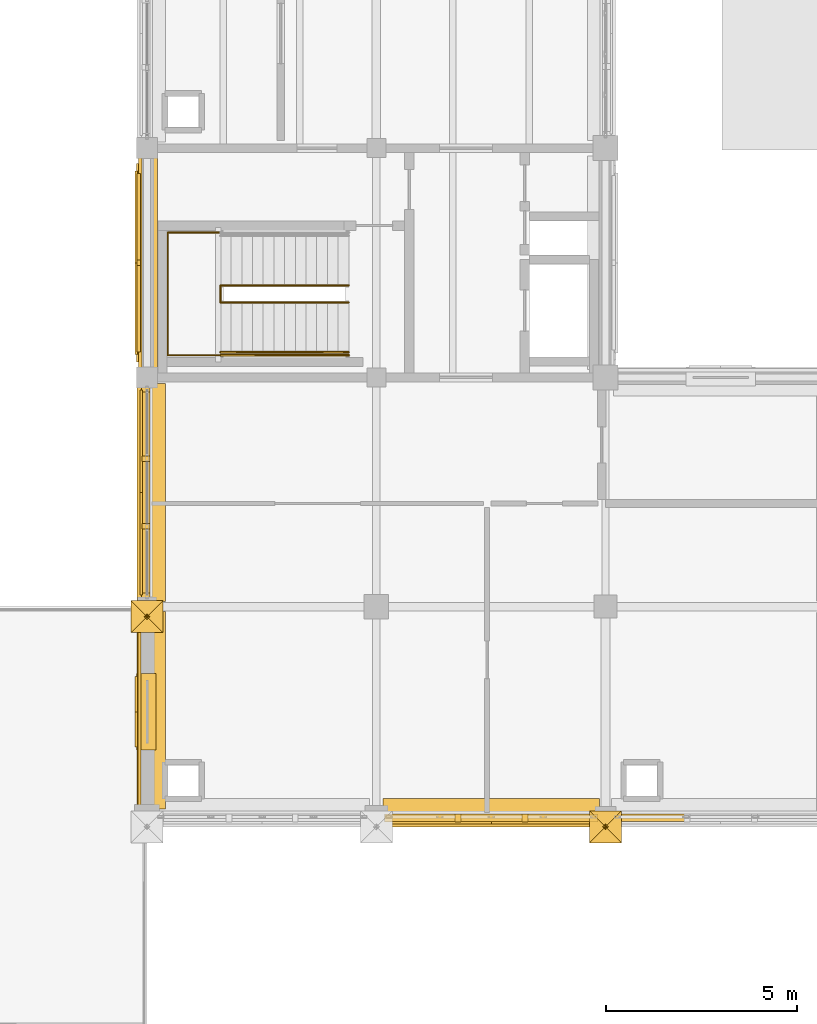
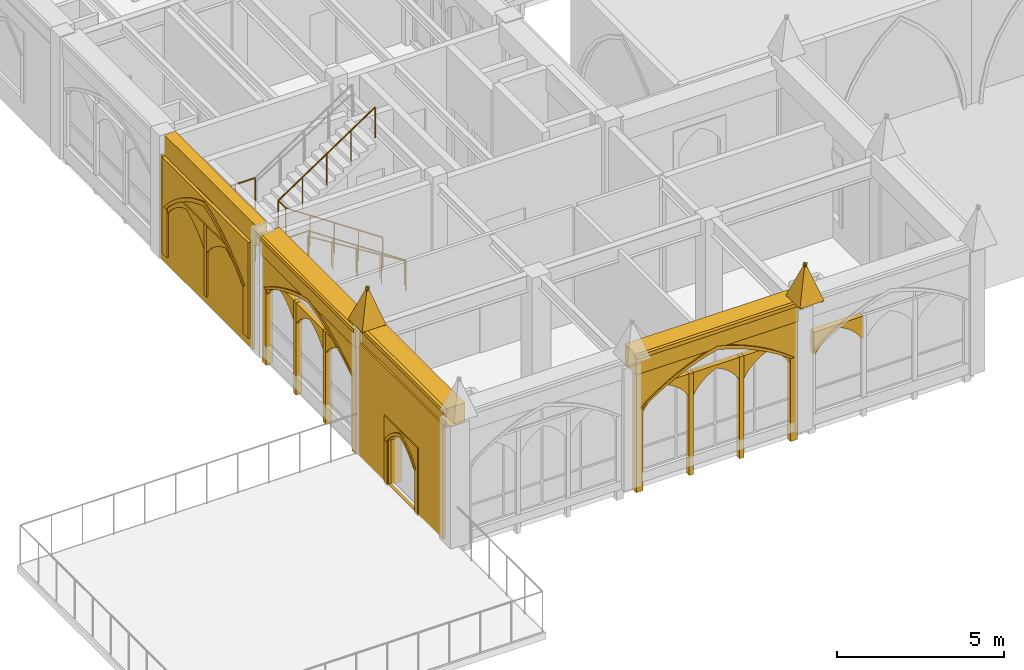
# One storey, part 128 of 143: 39 coverings, 4 railings.
"""IFC4 building model written with IfcOpenShell, lengths in metres."""

from ifc_helpers import new_model, si_unit, direction, frame, origin, origin_2d, place, context, subcontext, project, spatial, polyline, rectangle, circle, outline, extrude, material, type_object, element, save


model = new_model("IFC4")

# Units and contexts
model_context = context("Model", 3, precision=1e-05, world=origin(), true_north=direction((0.0, 1.0)))
body_context = subcontext(model_context, "Body", "Model", "MODEL_VIEW")
ifc_project = project(units=[si_unit("LENGTHUNIT", "METRE"), si_unit("AREAUNIT", "SQUARE_METRE"), si_unit("VOLUMEUNIT", "CUBIC_METRE"), si_unit("PLANEANGLEUNIT", "RADIAN"), si_unit("MASSUNIT", "GRAM", prefix="KILO")], contexts=[model_context])

# Site, building, storey
site_placement = place(None, origin())
site = spatial("IfcSite", under=ifc_project, at=site_placement, CompositionType="ELEMENT")
building_placement = place(site_placement, origin())
building = spatial("IfcBuilding", under=site, at=building_placement, Name="Cumevento Cable Car Station", CompositionType="ELEMENT")
storey_placement = place(building_placement, frame((0.0, 0.0, 9.0)))
storey = spatial("IfcBuildingStorey", under=building, at=storey_placement, Name="L03", CompositionType="ELEMENT", Elevation=9.0)

# Railings
ifc_material_1 = material(Name="Painted Galvanised Architectural Steel", Category="steel")
railing_type_1 = type_object("IfcRailingType", Name="Stair Guardrail GR-S115", PredefinedType="GUARDRAIL", material=ifc_material_1)
railing_1_placement = place(storey_placement, frame((123.280029296875, 22.9599609375, 0.0)))
element("IfcRailing", 1, at=railing_1_placement, inside=storey, type_object=railing_type_1, Name="Stair Well Inner Guardrail ST-05-L03", PredefinedType="GUARDRAIL", context=body_context, shape_type="SweptSolid", body=[
    extrude(circle(Radius=0.02392578125, at=origin_2d()), frame((0.0, 0.0, 1.1259765625), z_axis=(-0.830915400975, 0.0, 0.556398774641), x_axis=(0.0, -1.0, 0.0)), (0.0, 0.0, 1.0), 4.0439453125),
    extrude(circle(Radius=0.02392578125, at=origin_2d()), frame((-3.360107421875, 0.0, 3.3759765625), z_axis=(0.0, 1.0, 0.0), x_axis=(-1.0, 0.0, 0.0)), (0.0, 0.0, 1.0), 0.449951171875),
    extrude(circle(Radius=0.02392578125, at=origin_2d()), frame((-3.360107421875, 0.449951171875, 3.3759765625), z_axis=(0.830915400975, 0.0, 0.556398774641), x_axis=(0.0, 1.0, 0.0)), (0.0, 0.0, 1.0), 4.0439453125),
    extrude(circle(Radius=0.02001953125, at=origin_2d()), origin(), (0.0, 0.0, 1.0), 1.101806640625),
    extrude(circle(Radius=0.02001953125, at=origin_2d()), frame((-0.840087890625, 0.0, 0.5625)), (0.0, 0.0, 1.0), 1.101806640625),
    extrude(circle(Radius=0.02001953125, at=origin_2d()), frame((-1.68017578125, 0.0, 1.125)), (0.0, 0.0, 1.0), 1.101806640625),
    extrude(circle(Radius=0.02001953125, at=origin_2d()), frame((-2.52001953125, 0.0, 1.6875)), (0.0, 0.0, 1.0), 1.101806640625),
    extrude(circle(Radius=0.02001953125, at=origin_2d()), frame((-3.360107421875, 0.0, 2.25)), (0.0, 0.0, 1.0), 1.101806640625),
    extrude(circle(Radius=0.02001953125, at=origin_2d()), frame((-3.360107421875, 0.449951171875, 2.25)), (0.0, 0.0, 1.0), 1.101806640625),
    extrude(circle(Radius=0.02001953125, at=origin_2d()), frame((-2.52001953125, 0.449951171875, 2.8125)), (0.0, 0.0, 1.0), 1.101806640625),
    extrude(circle(Radius=0.02001953125, at=origin_2d()), frame((-1.68017578125, 0.449951171875, 3.375)), (0.0, 0.0, 1.0), 1.101806640625),
    extrude(circle(Radius=0.02001953125, at=origin_2d()), frame((-0.840087890625, 0.449951171875, 3.9375)), (0.0, 0.0, 1.0), 1.101806640625),
    extrude(circle(Radius=0.02001953125, at=origin_2d()), frame((0.0, 0.449951171875, 4.5)), (0.0, 0.0, 1.0), 1.101806640625),
])
railing_2_placement = place(storey_placement, frame((119.919921875, 21.580078125, 2.25)))
element("IfcRailing", 2, at=railing_2_placement, inside=storey, type_object=railing_type_1, Name="Stair Half-Landing Guardrail ST-05-L03", PredefinedType="GUARDRAIL", context=body_context, shape_type="SweptSolid", body=[
    extrude(circle(Radius=0.02392578125, at=origin_2d()), frame((0.0, 0.0, 1.1259765625), z_axis=(-1.0, 0.0, 0.0), x_axis=(0.0, -1.0, 0.0)), (0.0, 0.0, 1.0), 1.3798828125),
    extrude(circle(Radius=0.02392578125, at=origin_2d()), frame((-1.3798828125, 0.0, 1.1259765625), z_axis=(0.0, 1.0, 0.0), x_axis=(-1.0, 0.0, 0.0)), (0.0, 0.0, 1.0), 3.2099609375),
    extrude(circle(Radius=0.02392578125, at=origin_2d()), frame((-1.3798828125, 3.2099609375, 1.1259765625), z_axis=(1.0, 0.0, 0.0), x_axis=(0.0, 1.0, 0.0)), (0.0, 0.0, 1.0), 1.3798828125),
    extrude(circle(Radius=0.02001953125, at=origin_2d()), origin(), (0.0, 0.0, 1.0), 1.101806640625),
    extrude(circle(Radius=0.02001953125, at=origin_2d()), frame((-0.68994140625, 0.0, 0.0)), (0.0, 0.0, 1.0), 1.101806640625),
    extrude(circle(Radius=0.02001953125, at=origin_2d()), frame((-1.3798828125, 0.0, 0.0)), (0.0, 0.0, 1.0), 1.101806640625),
    extrude(circle(Radius=0.02001953125, at=origin_2d()), frame((-1.3798828125, 0.802490234375, 0.0)), (0.0, 0.0, 1.0), 1.101806640625),
    extrude(circle(Radius=0.02001953125, at=origin_2d()), frame((-1.3798828125, 1.60498046875, 0.0)), (0.0, 0.0, 1.0), 1.101806640625),
    extrude(circle(Radius=0.02001953125, at=origin_2d()), frame((-1.3798828125, 2.407470703125, 0.0)), (0.0, 0.0, 1.0), 1.101806640625),
    extrude(circle(Radius=0.02001953125, at=origin_2d()), frame((-1.3798828125, 3.2099609375, 0.0)), (0.0, 0.0, 1.0), 1.101806640625),
    extrude(circle(Radius=0.02001953125, at=origin_2d()), frame((-0.68994140625, 3.2099609375, 0.0)), (0.0, 0.0, 1.0), 1.101806640625),
    extrude(circle(Radius=0.02001953125, at=origin_2d()), frame((0.0, 3.2099609375, 0.0)), (0.0, 0.0, 1.0), 1.101806640625),
])
railing_3_placement = place(storey_placement, frame((123.280029296875, 21.580078125, 0.0)))
element("IfcRailing", 3, at=railing_3_placement, inside=storey, type_object=railing_type_1, Name="Stair Outer Guardrail ST-05-L03 F1", PredefinedType="GUARDRAIL", context=body_context, shape_type="SweptSolid", body=[
    extrude(circle(Radius=0.02392578125, at=origin_2d()), frame((0.0, 0.0, 1.1259765625), z_axis=(-0.830915400975, 0.0, 0.556398774641), x_axis=(0.0, -1.0, 0.0)), (0.0, 0.0, 1.0), 4.0439453125),
    extrude(circle(Radius=0.02001953125, at=origin_2d()), origin(), (0.0, 0.0, 1.0), 1.101806640625),
    extrude(circle(Radius=0.02001953125, at=origin_2d()), frame((-0.840087890625, 0.0, 0.5625)), (0.0, 0.0, 1.0), 1.101806640625),
    extrude(circle(Radius=0.02001953125, at=origin_2d()), frame((-1.68017578125, 0.0, 1.125)), (0.0, 0.0, 1.0), 1.101806640625),
    extrude(circle(Radius=0.02001953125, at=origin_2d()), frame((-2.52001953125, 0.0, 1.6875)), (0.0, 0.0, 1.0), 1.101806640625),
    extrude(circle(Radius=0.02001953125, at=origin_2d()), frame((-3.360107421875, 0.0, 2.25)), (0.0, 0.0, 1.0), 1.101806640625),
])
ifc_material_2 = material(Name="Brushed Stainless Steel Handrail Tube", Category="steel")
railing_type_2 = type_object("IfcRailingType", Name="Stair Handrail HR-090", PredefinedType="HANDRAIL", material=ifc_material_2)
railing_4_placement = place(storey_placement, frame((123.280029296875, 21.659912109375, 0.17626953125)))
element("IfcRailing", 4, at=railing_4_placement, inside=storey, type_object=railing_type_2, Name="Stair Pitch Handrail ST-05-L03 F1", PredefinedType="HANDRAIL", context=body_context, shape_type="SweptSolid", body=[
    extrude(circle(Radius=0.02099609375, at=origin_2d()), frame((0.0, 0.0, 0.87890625), z_axis=(-0.850623216509, 0.0, 0.525775754039), x_axis=(0.0, -1.0, 0.0)), (0.0, 0.0, 1.0), 3.9501953125),
    extrude(circle(Radius=0.01611328125, at=origin_2d()), origin(), (0.0, 0.0, 1.0), 0.85791015625),
    extrude(circle(Radius=0.01611328125, at=origin_2d()), frame((-0.840087890625, 0.0, 0.519287109375)), (0.0, 0.0, 1.0), 0.85791015625),
    extrude(circle(Radius=0.01611328125, at=origin_2d()), frame((-1.68017578125, 0.0, 1.03857421875)), (0.0, 0.0, 1.0), 0.85791015625),
    extrude(circle(Radius=0.01611328125, at=origin_2d()), frame((-2.52001953125, 0.0, 1.5576171875)), (0.0, 0.0, 1.0), 0.85791015625),
    extrude(circle(Radius=0.01611328125, at=origin_2d()), frame((-3.360107421875, 0.0, 2.076904296875)), (0.0, 0.0, 1.0), 0.85791015625),
])

# Coverings
ifc_material_3 = material(Name="Gnaisse Facoidal Stone Ashlar 85 MPa", Category="masonry")
covering_type = type_object("IfcCoveringType", Name="Gnaisse Ashlar Cladding CV-CL01", PredefinedType="CLADDING", material=ifc_material_3)
for number, where, z_axis, x_axis, name in (
    (5, (117.580078125, 15.159912109375, 4.8701171875), (0.0, 0.951573760476, 0.30742052367), (1.0, 0.0, 0.0), "Gothic Buttress Pinnacle Spire Facet 1 bt:118.0:15.0"),
    (6, (118.419921875, 15.159912109375, 4.8701171875), (0.951573760476, 0.0, 0.30742052367), (0.0, -1.0, 0.0), "Gothic Buttress Pinnacle Spire Facet 2 bt:118.0:15.0"),
    (7, (118.419921875, 14.320068359375, 4.8701171875), (0.0, -0.951573760476, 0.30742052367), (-1.0, 0.0, 0.0), "Gothic Buttress Pinnacle Spire Facet 3 bt:118.0:15.0"),
    (8, (117.580078125, 14.320068359375, 4.8701171875), (-0.951573760476, 0.0, 0.30742052367), (0.0, 1.0, 0.0), "Gothic Buttress Pinnacle Spire Facet 4 bt:118.0:15.0"),
    (9, (129.580078125, 9.659912109375, 4.8701171875), (0.0, 0.951573760476, 0.30742052367), (1.0, 0.0, 0.0), "Gothic Buttress Pinnacle Spire Facet 1 bt:130.0:9.5"),
    (10, (130.419921875, 9.659912109375, 4.8701171875), (0.951573760476, 0.0, 0.30742052367), (0.0, -1.0, 0.0), "Gothic Buttress Pinnacle Spire Facet 2 bt:130.0:9.5"),
    (11, (130.419921875, 8.820068359375, 4.8701171875), (0.0, -0.951573760476, 0.30742052367), (-1.0, 0.0, 0.0), "Gothic Buttress Pinnacle Spire Facet 3 bt:130.0:9.5"),
    (12, (129.580078125, 8.820068359375, 4.8701171875), (-0.951573760476, 0.0, 0.30742052367), (0.0, 1.0, 0.0), "Gothic Buttress Pinnacle Spire Facet 4 bt:130.0:9.5"),
):
    element("IfcCovering", number, at=place(storey_placement, frame(where, z_axis=z_axis, x_axis=x_axis)), inside=storey, type_object=covering_type, Name=name, PredefinedType="CLADDING", context=body_context, shape_type="SweptSolid", body=[
        extrude(outline(polyline([(0.0, 0.0), (0.83984375, 0.0), (0.419921875, -1.3659526370817139), (0.0, 0.0)])), origin(), (0.0, 0.0, -1.0), 0.0849609375),
    ])
covering_1_placement = place(storey_placement, frame((127.012451171875, 9.64990234375, 4.032958984375), z_axis=(0.0, 0.0, 1.0), x_axis=(-1.0, 0.0, 0.0)))
element("IfcCovering", 13, at=covering_1_placement, inside=storey, type_object=covering_type, Name="Gothic Stone Spandrel Stringcourse sc:0666", PredefinedType="CLADDING", context=body_context, shape_type="SweptSolid", body=[
    extrude(rectangle(XDim=5.6650390625, YDim=0.659912109375, at=origin_2d()), origin(), (0.0, 0.0, 1.0), 0.7470703125),
])
covering_2_placement = place(storey_placement, frame((127.012451171875, 9.29248046875, 4.650146484375), z_axis=(0.0, 0.0, 1.0), x_axis=(-1.0, 0.0, 0.0)))
element("IfcCovering", 14, at=covering_2_placement, inside=storey, type_object=covering_type, Name="Gothic Cornice Dripstone Lip sc:0666", PredefinedType="CLADDING", context=body_context, shape_type="SweptSolid", body=[
    extrude(rectangle(XDim=5.705078125, YDim=0.114990234375, at=origin_2d()), origin(), (0.0, 0.0, 1.0), 0.1298828125),
])
covering_3_placement = place(storey_placement, frame((118.148681640625, 12.28759765625, 4.0859375), z_axis=(0.0, 0.0, 1.0), x_axis=(0.0, 1.0, 0.0)))
element("IfcCovering", 15, at=covering_3_placement, inside=storey, type_object=covering_type, Name="Gothic Stone Spandrel Stringcourse sc:0669", PredefinedType="CLADDING", context=body_context, shape_type="SweptSolid", body=[
    extrude(rectangle(XDim=5.1650390625, YDim=0.66259765625, at=origin_2d()), origin(), (0.0, 0.0, 1.0), 0.694091796875),
])
covering_4_placement = place(storey_placement, frame((117.7900390625, 12.28759765625, 4.650146484375), z_axis=(0.0, 0.0, 1.0), x_axis=(0.0, 1.0, 0.0)))
element("IfcCovering", 16, at=covering_4_placement, inside=storey, type_object=covering_type, Name="Gothic Cornice Dripstone Lip sc:0669", PredefinedType="CLADDING", context=body_context, shape_type="SweptSolid", body=[
    extrude(rectangle(XDim=5.205078125, YDim=0.114990234375, at=origin_2d()), origin(), (0.0, 0.0, 1.0), 0.1298828125),
])
covering_5_placement = place(storey_placement, frame((118.14990234375, 17.987548828125, 3.718017578125), z_axis=(0.0, 0.0, 1.0), x_axis=(0.0, 1.0, 0.0)))
element("IfcCovering", 17, at=covering_5_placement, inside=storey, type_object=covering_type, Name="Gothic Stone Spandrel Stringcourse sc:0670", PredefinedType="CLADDING", context=body_context, shape_type="SweptSolid", body=[
    extrude(rectangle(XDim=5.715087890625, YDim=0.659912109375, at=origin_2d()), origin(), (0.0, 0.0, 1.0), 0.7470703125),
])
covering_6_placement = place(storey_placement, frame((117.79248046875, 17.987548828125, 4.3349609375), z_axis=(0.0, 0.0, 1.0), x_axis=(0.0, 1.0, 0.0)))
element("IfcCovering", 18, at=covering_6_placement, inside=storey, type_object=covering_type, Name="Gothic Cornice Dripstone Lip sc:0670", PredefinedType="CLADDING", context=body_context, shape_type="SweptSolid", body=[
    extrude(rectangle(XDim=5.7548828125, YDim=0.114990234375, at=origin_2d()), origin(), (0.0, 0.0, 1.0), 0.1298828125),
])
covering_7_placement = place(storey_placement, frame((118.090087890625, 24.0, 3.718017578125), z_axis=(0.0, 0.0, 1.0), x_axis=(0.0, 1.0, 0.0)))
element("IfcCovering", 19, at=covering_7_placement, inside=storey, type_object=covering_type, Name="Gothic Stone Spandrel Stringcourse sc:0673", PredefinedType="CLADDING", context=body_context, shape_type="SweptSolid", body=[
    extrude(rectangle(XDim=5.510009765625, YDim=0.3798828125, at=origin_2d()), origin(), (0.0, 0.0, 1.0), 0.7470703125),
])
placement_1 = place(storey_placement, frame((129.72509765625, 9.5, -0.320068359375), z_axis=(0.0, 0.0, 1.0), x_axis=(-1.0, 0.0, 0.0)))
element("IfcCovering", 20, at=placement_1, inside=storey, type_object=covering_type, Name="Gothic Ogival Pointed-Arch Stone Spandrel cw_ogival:0124", PredefinedType="CLADDING", context=body_context, shape_type="SweptSolid", body=[
    extrude(outline(polyline([(-0.080078125, 0.0), (-0.080078125, 4.492919921875), (5.5048828125, 4.492919921875), (5.5048828125, 0.0), (5.264892578125, 0.0), (5.264892578125, 3.069091796875), (4.9765625, 3.278076171875), (4.677734375, 3.47216796875), (4.369140625, 3.650390625), (4.052001953125, 3.812744140625), (3.726806640625, 3.95849609375), (3.39453125, 4.08740234375), (3.05615234375, 4.198974609375), (2.71240234375, 4.29296875), (2.368896484375, 4.198974609375), (2.030517578125, 4.08740234375), (1.6982421875, 3.95849609375), (1.373046875, 3.812744140625), (1.055908203125, 3.650390625), (0.747314453125, 3.47216796875), (0.448486328125, 3.278076171875), (0.159912109375, 3.069091796875), (0.159912109375, 0.0), (-0.080078125, 0.0)])), frame((0.0, 0.139892578125, 0.0), z_axis=(0.0, -1.0, 0.0), x_axis=(1.0, 0.0, 0.0)), (0.0, 0.0, 1.0), 0.219970703125),
])
covering_9_placement = place(storey_placement, frame((129.72509765625, 9.5, 2.7490234375), z_axis=(0.0, 0.0, 1.0), x_axis=(-1.0, 0.0, 0.0)))
element("IfcCovering", 21, at=covering_9_placement, inside=storey, type_object=covering_type, Name="Gothic Pointed Archivolt Hood Moulding cw_ogival:0124", PredefinedType="CLADDING", context=body_context, shape_type="SweptSolid", body=[
    extrude(outline(polyline([(0.159912109375, 0.0), (0.448486328125, 0.208984375), (0.747314453125, 0.403076171875), (1.055908203125, 0.581298828125), (1.373046875, 0.74365234375), (1.6982421875, 0.889404296875), (2.030517578125, 1.018310546875), (2.368896484375, 1.1298828125), (2.71240234375, 1.223876953125), (3.05615234375, 1.1298828125), (3.39453125, 1.018310546875), (3.726806640625, 0.889404296875), (4.052001953125, 0.74365234375), (4.369140625, 0.581298828125), (4.677734375, 0.403076171875), (4.9765625, 0.208984375), (5.264892578125, 0.0), (5.375, 0.0), (5.078125, 0.23193359375), (4.76904296875, 0.447265625), (4.44873046875, 0.6455078125), (4.1181640625, 0.825927734375), (3.778076171875, 0.98828125), (3.429931640625, 1.1318359375), (3.07421875, 1.25634765625), (2.71240234375, 1.361328125), (2.350830078125, 1.25634765625), (1.9951171875, 1.1318359375), (1.64697265625, 0.98828125), (1.306884765625, 0.825927734375), (0.976318359375, 0.6455078125), (0.656005859375, 0.447265625), (0.346923828125, 0.23193359375), (0.050048828125, 0.0), (0.159912109375, 0.0)])), frame((0.0, 0.181884765625, 0.0), z_axis=(0.0, -1.0, 0.0), x_axis=(1.0, 0.0, 0.0)), (0.0, 0.0, 1.0), 0.06689453125),
])
element("IfcCovering", 22, at=placement_1, inside=storey, type_object=covering_type, Name="Gothic Bifora Stone Colonnette cw_ogival:0124 #1", PredefinedType="CLADDING", context=body_context, shape_type="SweptSolid", body=[
    extrude(outline(polyline([(1.76171875, -0.02001953125), (1.91162109375, -0.02001953125), (1.91162109375, 3.70556640625), (1.76171875, 3.70556640625), (1.76171875, -0.02001953125)])), frame((0.0, 0.1279296875, 0.0), z_axis=(0.0, -1.0, 0.0), x_axis=(1.0, 0.0, 0.0)), (0.0, 0.0, 1.0), 0.205078125),
])
element("IfcCovering", 23, at=placement_1, inside=storey, type_object=covering_type, Name="Gothic Bifora Stone Colonnette cw_ogival:0124 #2", PredefinedType="CLADDING", context=body_context, shape_type="SweptSolid", body=[
    extrude(outline(polyline([(3.513427734375, -0.02001953125), (3.663330078125, -0.02001953125), (3.663330078125, 3.70556640625), (3.513427734375, 3.70556640625), (3.513427734375, -0.02001953125)])), frame((0.0, 0.1279296875, 0.0), z_axis=(0.0, -1.0, 0.0), x_axis=(1.0, 0.0, 0.0)), (0.0, 0.0, 1.0), 0.205078125),
])
for number, where, z_axis, x_axis, name in (
    (24, (129.594970703125, 9.5, 2.569091796875), (0.0, 0.0, 1.0), (-1.0, 0.0, 0.0), "Gothic Ogival Pointed-Arch Stone Spandrel cw_ogival:0124:sub:0"),
    (25, (127.84326171875, 9.5, 2.569091796875), (0.0, 0.0, 1.0), (-1.0, 0.0, 0.0), "Gothic Ogival Pointed-Arch Stone Spandrel cw_ogival:0124:sub:1"),
    (26, (126.091552734375, 9.5, 2.569091796875), (0.0, 0.0, 1.0), (-1.0, 0.0, 0.0), "Gothic Ogival Pointed-Arch Stone Spandrel cw_ogival:0124:sub:2"),
):
    element("IfcCovering", number, at=place(storey_placement, frame(where, z_axis=z_axis, x_axis=x_axis)), inside=storey, type_object=covering_type, Name=name, PredefinedType="CLADDING", context=body_context, shape_type="SweptSolid", body=[
        extrude(outline(polyline([(-0.02001953125, 0.0), (-0.02001953125, 0.81640625), (1.681640625, 0.81640625), (1.681640625, 0.0), (1.62158203125, 0.0), (1.52490234375, 0.150390625), (1.412109375, 0.2890625), (1.28466796875, 0.41455078125), (1.14404296875, 0.525146484375), (0.9921875, 0.619384765625), (0.830810546875, 0.6962890625), (0.66943359375, 0.619384765625), (0.517578125, 0.525146484375), (0.376953125, 0.41455078125), (0.24951171875, 0.2890625), (0.13671875, 0.150390625), (0.0400390625, 0.0), (-0.02001953125, 0.0)])), frame((0.0, 0.1240234375, 0.0), z_axis=(0.0, -1.0, 0.0), x_axis=(1.0, 0.0, 0.0)), (0.0, 0.0, 1.0), 0.199951171875),
    ])
covering_12_placement = place(storey_placement, frame((132.083251953125, 9.5, 2.587158203125), z_axis=(0.0, 0.0, 1.0), x_axis=(-1.0, 0.0, 0.0)))
element("IfcCovering", 27, at=covering_12_placement, inside=storey, type_object=covering_type, Name="Gothic Ogival Pointed-Arch Stone Spandrel cw_ogival:0125:sub:2", PredefinedType="CLADDING", context=body_context, shape_type="SweptSolid", body=[
    extrude(outline(polyline([(-0.02001953125, 0.0), (-0.02001953125, 0.80712890625), (1.6982421875, 0.80712890625), (1.6982421875, 0.0), (1.638427734375, 0.0), (1.5390625, 0.148681640625), (1.42431640625, 0.28564453125), (1.295166015625, 0.409423828125), (1.153564453125, 0.518310546875), (1.0009765625, 0.611328125), (0.839111328125, 0.68701171875), (0.67724609375, 0.611328125), (0.524658203125, 0.518310546875), (0.383056640625, 0.409423828125), (0.25390625, 0.28564453125), (0.13916015625, 0.148681640625), (0.0400390625, 0.0), (-0.02001953125, 0.0)])), frame((0.0, 0.1240234375, 0.0), z_axis=(0.0, -1.0, 0.0), x_axis=(1.0, 0.0, 0.0)), (0.0, 0.0, 1.0), 0.199951171875),
])
placement_2 = place(storey_placement, frame((118.0, 15.25, -0.219970703125), z_axis=(0.0, 0.0, 1.0), x_axis=(0.0, 1.0, 0.0)))
element("IfcCovering", 28, at=placement_2, inside=storey, type_object=covering_type, Name="Gothic Ogival Pointed-Arch Stone Spandrel cw_ogival:0126", PredefinedType="CLADDING", context=body_context, shape_type="SweptSolid", body=[
    extrude(outline(polyline([(-0.080078125, 0.0), (-0.080078125, 4.077880859375), (5.554931640625, 4.077880859375), (5.554931640625, 0.0), (5.31494140625, 0.0), (5.31494140625, 2.803466796875), (5.0166015625, 2.988037109375), (4.7099609375, 3.158935546875), (4.39599609375, 3.315673828125), (4.0751953125, 3.4580078125), (3.748291015625, 3.585693359375), (3.416015625, 3.698486328125), (3.078857421875, 3.7958984375), (2.737548828125, 3.8779296875), (2.396240234375, 3.7958984375), (2.05908203125, 3.698486328125), (1.726806640625, 3.585693359375), (1.39990234375, 3.4580078125), (1.0791015625, 3.315673828125), (0.76513671875, 3.158935546875), (0.45849609375, 2.988037109375), (0.159912109375, 2.803466796875), (0.159912109375, 0.0), (-0.080078125, 0.0)])), frame((0.0, 0.139892578125, 0.0), z_axis=(0.0, -1.0, 0.0), x_axis=(1.0, 0.0, 0.0)), (0.0, 0.0, 1.0), 0.219970703125),
])
covering_14_placement = place(storey_placement, frame((118.0, 15.25, 2.58349609375), z_axis=(0.0, 0.0, 1.0), x_axis=(0.0, 1.0, 0.0)))
element("IfcCovering", 29, at=covering_14_placement, inside=storey, type_object=covering_type, Name="Gothic Pointed Archivolt Hood Moulding cw_ogival:0126", PredefinedType="CLADDING", context=body_context, shape_type="SweptSolid", body=[
    extrude(outline(polyline([(0.159912109375, 0.0), (0.45849609375, 0.1845703125), (0.76513671875, 0.35546875), (1.0791015625, 0.51220703125), (1.39990234375, 0.654541015625), (1.726806640625, 0.7822265625), (2.05908203125, 0.89501953125), (2.396240234375, 0.992431640625), (2.737548828125, 1.074462890625), (3.078857421875, 0.992431640625), (3.416015625, 0.89501953125), (3.748291015625, 0.7822265625), (4.0751953125, 0.654541015625), (4.39599609375, 0.51220703125), (4.7099609375, 0.35546875), (5.0166015625, 0.1845703125), (5.31494140625, 0.0), (5.425048828125, 0.0), (5.117919921875, 0.20751953125), (4.80078125, 0.39990234375), (4.474853515625, 0.57666015625), (4.140625, 0.7373046875), (3.798828125, 0.881591796875), (3.45068359375, 1.0087890625), (3.0966796875, 1.119140625), (2.737548828125, 1.2119140625), (2.37841796875, 1.119140625), (2.0244140625, 1.0087890625), (1.67626953125, 0.881591796875), (1.33447265625, 0.7373046875), (1.000244140625, 0.57666015625), (0.67431640625, 0.39990234375), (0.357177734375, 0.20751953125), (0.050048828125, 0.0), (0.159912109375, 0.0)])), frame((0.0, 0.181884765625, 0.0), z_axis=(0.0, -1.0, 0.0), x_axis=(1.0, 0.0, 0.0)), (0.0, 0.0, 1.0), 0.06689453125),
])
element("IfcCovering", 30, at=placement_2, inside=storey, type_object=covering_type, Name="Gothic Bifora Stone Colonnette cw_ogival:0126 #1", PredefinedType="CLADDING", context=body_context, shape_type="SweptSolid", body=[
    extrude(outline(polyline([(1.7783203125, -0.02001953125), (1.92822265625, -0.02001953125), (1.92822265625, 3.3623046875), (1.7783203125, 3.3623046875), (1.7783203125, -0.02001953125)])), frame((0.0, 0.1279296875, 0.0), z_axis=(0.0, -1.0, 0.0), x_axis=(1.0, 0.0, 0.0)), (0.0, 0.0, 1.0), 0.205078125),
])
element("IfcCovering", 31, at=placement_2, inside=storey, type_object=covering_type, Name="Gothic Bifora Stone Colonnette cw_ogival:0126 #2", PredefinedType="CLADDING", context=body_context, shape_type="SweptSolid", body=[
    extrude(outline(polyline([(3.546630859375, -0.02001953125), (3.69677734375, -0.02001953125), (3.69677734375, 3.3623046875), (3.546630859375, 3.3623046875), (3.546630859375, -0.02001953125)])), frame((0.0, 0.1279296875, 0.0), z_axis=(0.0, -1.0, 0.0), x_axis=(1.0, 0.0, 0.0)), (0.0, 0.0, 1.0), 0.205078125),
])
for number, where, z_axis, x_axis, name in (
    (32, (118.0, 15.3798828125, 2.403564453125), (0.0, 0.0, 1.0), (0.0, 1.0, 0.0), "Gothic Ogival Pointed-Arch Stone Spandrel cw_ogival:0126:sub:0"),
    (33, (118.0, 17.1484375, 2.403564453125), (0.0, 0.0, 1.0), (0.0, 1.0, 0.0), "Gothic Ogival Pointed-Arch Stone Spandrel cw_ogival:0126:sub:1"),
    (34, (118.0, 18.916748046875, 2.403564453125), (0.0, 0.0, 1.0), (0.0, 1.0, 0.0), "Gothic Ogival Pointed-Arch Stone Spandrel cw_ogival:0126:sub:2"),
):
    element("IfcCovering", number, at=place(storey_placement, frame(where, z_axis=z_axis, x_axis=x_axis)), inside=storey, type_object=covering_type, Name=name, PredefinedType="CLADDING", context=body_context, shape_type="SweptSolid", body=[
        extrude(outline(polyline([(-0.02001953125, 0.0), (-0.02001953125, 0.73876953125), (1.6982421875, 0.73876953125), (1.6982421875, 0.0), (1.638427734375, 0.0), (1.533447265625, 0.135009765625), (1.41552734375, 0.259033203125), (1.285888671875, 0.370361328125), (1.1455078125, 0.468017578125), (0.99609375, 0.551025390625), (0.839111328125, 0.61865234375), (0.68212890625, 0.551025390625), (0.53271484375, 0.468017578125), (0.392333984375, 0.370361328125), (0.2626953125, 0.259033203125), (0.144775390625, 0.135009765625), (0.0400390625, 0.0), (-0.02001953125, 0.0)])), frame((0.0, 0.1240234375, 0.0), z_axis=(0.0, -1.0, 0.0), x_axis=(1.0, 0.0, 0.0)), (0.0, 0.0, 1.0), 0.199951171875),
    ])
covering_17_placement = place(storey_placement, frame((118.0, 9.824951171875, 0.0), z_axis=(0.0, 0.0, 1.0), x_axis=(0.0, 1.0, 0.0)))
element("IfcCovering", 35, at=covering_17_placement, inside=storey, type_object=covering_type, Name="Exterior Gnaisse Stone Wall Ashlar #252", PredefinedType="CLADDING", context=body_context, shape_type="SweptSolid", body=[
    extrude(outline(polyline([(-0.0400390625, -0.02001953125), (4.965087890625, -0.02001953125), (4.965087890625, 4.166015625), (-0.0400390625, 4.166015625), (-0.0400390625, -0.02001953125)]), holes=[polyline([(1.614990234375, 0.02001953125), (3.235107421875, 0.02001953125), (3.235107421875, 2.2099609375), (1.614990234375, 2.2099609375), (1.614990234375, 0.02001953125)])]), frame((0.0, 0.237548828125, 0.0), z_axis=(0.0, -1.0, 0.0), x_axis=(1.0, 0.0, 0.0)), (0.0, 0.0, 1.0), 0.0849609375),
])
covering_18_placement = place(storey_placement, frame((118.0, 11.2900390625, -0.050048828125), z_axis=(0.0, 0.0, 1.0), x_axis=(0.0, 1.0, 0.0)))
element("IfcCovering", 36, at=covering_18_placement, inside=storey, type_object=covering_type, Name="Gothic Ogival Pointed-Arch Stone Spandrel op_ogival:0252:1", PredefinedType="CLADDING", context=body_context, shape_type="SweptSolid", body=[
    extrude(outline(polyline([(-0.0400390625, 0.0), (-0.0400390625, 2.489990234375), (1.9599609375, 2.489990234375), (1.9599609375, 0.0), (1.780029296875, 0.0), (1.780029296875, 1.6484375), (1.6904296875, 1.7724609375), (1.59033203125, 1.88818359375), (1.48046875, 1.994384765625), (1.361328125, 2.090576171875), (1.234375, 2.175537109375), (1.10009765625, 2.2490234375), (0.9599609375, 2.31005859375), (0.81982421875, 2.2490234375), (0.685546875, 2.175537109375), (0.55859375, 2.090576171875), (0.439453125, 1.994384765625), (0.32958984375, 1.88818359375), (0.2294921875, 1.7724609375), (0.139892578125, 1.6484375), (0.139892578125, 0.0), (-0.0400390625, 0.0)])), frame((0.0, 0.275390625, 0.0), z_axis=(0.0, -1.0, 0.0), x_axis=(1.0, 0.0, 0.0)), (0.0, 0.0, 1.0), 0.5048828125),
])
covering_19_placement = place(storey_placement, frame((118.0, 11.2900390625, 1.598388671875), z_axis=(0.0, 0.0, 1.0), x_axis=(0.0, 1.0, 0.0)))
element("IfcCovering", 37, at=covering_19_placement, inside=storey, type_object=covering_type, Name="Gothic Pointed Archivolt Hood Moulding op_ogival:0252:1", PredefinedType="CLADDING", context=body_context, shape_type="SweptSolid", body=[
    extrude(outline(polyline([(0.139892578125, 0.0), (0.2294921875, 0.1240234375), (0.32958984375, 0.23974609375), (0.439453125, 0.345947265625), (0.55859375, 0.442138671875), (0.685546875, 0.527099609375), (0.81982421875, 0.6005859375), (0.9599609375, 0.66162109375), (1.10009765625, 0.6005859375), (1.234375, 0.527099609375), (1.361328125, 0.442138671875), (1.48046875, 0.345947265625), (1.59033203125, 0.23974609375), (1.6904296875, 0.1240234375), (1.780029296875, 0.0), (1.87890625, 0.0), (1.781982421875, 0.146484375), (1.671630859375, 0.283447265625), (1.54931640625, 0.409423828125), (1.415771484375, 0.523681640625), (1.272216796875, 0.624755859375), (1.119873046875, 0.71240234375), (0.9599609375, 0.785400390625), (0.800048828125, 0.71240234375), (0.647705078125, 0.624755859375), (0.504150390625, 0.523681640625), (0.37060546875, 0.409423828125), (0.248291015625, 0.283447265625), (0.137939453125, 0.146484375), (0.041015625, 0.0), (0.139892578125, 0.0)])), frame((0.0, 0.3173828125, 0.0), z_axis=(0.0, -1.0, 0.0), x_axis=(1.0, 0.0, 0.0)), (0.0, 0.0, 1.0), 0.06689453125),
])
covering_20_placement = place(storey_placement, frame((118.0, 21.27490234375, 0.0), z_axis=(0.0, 0.0, 1.0), x_axis=(0.0, 1.0, 0.0)))
element("IfcCovering", 38, at=covering_20_placement, inside=storey, type_object=covering_type, Name="Exterior Gnaisse Stone Wall Ashlar #255", PredefinedType="CLADDING", context=body_context, shape_type="SweptSolid", body=[
    extrude(outline(polyline([(-0.0400390625, -0.02001953125), (5.489990234375, -0.02001953125), (5.489990234375, 3.798095703125), (-0.0400390625, 3.798095703125), (-0.0400390625, -0.02001953125)])), frame((0.0, 0.222412109375, 0.0), z_axis=(0.0, -1.0, 0.0), x_axis=(1.0, 0.0, 0.0)), (0.0, 0.0, 1.0), 0.0849609375),
])
placement_3 = place(storey_placement, frame((118.0, 21.455078125, 0.300048828125), z_axis=(0.0, 0.0, 1.0), x_axis=(0.0, 1.0, 0.0)))
element("IfcCovering", 39, at=placement_3, inside=storey, type_object=covering_type, Name="Gothic Ogival Pointed-Arch Stone Spandrel blind_ogival:0255", PredefinedType="CLADDING", context=body_context, shape_type="SweptSolid", body=[
    extrude(outline(polyline([(-0.050048828125, 0.0), (-0.050048828125, 3.51806640625), (5.139892578125, 3.51806640625), (5.139892578125, 0.0), (4.830078125, 0.0), (4.830078125, 1.815673828125), (4.556640625, 2.0986328125), (4.262451171875, 2.360107421875), (3.94921875, 2.5986328125), (3.619140625, 2.81298828125), (3.273681640625, 3.00146484375), (2.9150390625, 3.16357421875), (2.544921875, 3.298095703125), (2.175048828125, 3.16357421875), (1.81640625, 3.00146484375), (1.470947265625, 2.81298828125), (1.140869140625, 2.5986328125), (0.82763671875, 2.360107421875), (0.533447265625, 2.0986328125), (0.260009765625, 1.815673828125), (0.260009765625, 0.0), (-0.050048828125, 0.0)])), frame((0.0, 0.277587890625, 0.0), z_axis=(0.0, -1.0, 0.0), x_axis=(1.0, 0.0, 0.0)), (0.0, 0.0, 1.0), 0.110107421875),
])
covering_22_placement = place(storey_placement, frame((118.0, 21.455078125, 2.11572265625), z_axis=(0.0, 0.0, 1.0), x_axis=(0.0, 1.0, 0.0)))
element("IfcCovering", 40, at=covering_22_placement, inside=storey, type_object=covering_type, Name="Gothic Pointed Archivolt Hood Moulding blind_ogival:0255", PredefinedType="CLADDING", context=body_context, shape_type="SweptSolid", body=[
    extrude(outline(polyline([(0.260009765625, 0.0), (0.533447265625, 0.282958984375), (0.82763671875, 0.54443359375), (1.140869140625, 0.782958984375), (1.470947265625, 0.997314453125), (1.81640625, 1.185791015625), (2.175048828125, 1.347900390625), (2.544921875, 1.482421875), (2.9150390625, 1.347900390625), (3.273681640625, 1.185791015625), (3.619140625, 0.997314453125), (3.94921875, 0.782958984375), (4.262451171875, 0.54443359375), (4.556640625, 0.282958984375), (4.830078125, 0.0), (4.950927734375, 0.0), (4.667724609375, 0.310791015625), (4.36083984375, 0.5986328125), (4.032470703125, 0.861328125), (3.6845703125, 1.09765625), (3.319091796875, 1.305908203125), (2.9384765625, 1.48486328125), (2.544921875, 1.633544921875), (2.151611328125, 1.48486328125), (1.77099609375, 1.305908203125), (1.405517578125, 1.09765625), (1.0576171875, 0.861328125), (0.729248046875, 0.5986328125), (0.42236328125, 0.310791015625), (0.138916015625, 0.0), (0.260009765625, 0.0)])), frame((0.0, 0.319580078125, 0.0), z_axis=(0.0, -1.0, 0.0), x_axis=(1.0, 0.0, 0.0)), (0.0, 0.0, 1.0), 0.06689453125),
])
element("IfcCovering", 41, at=placement_3, inside=storey, type_object=covering_type, Name="Gothic Bifora Stone Colonnette blind_ogival:0255 #1", PredefinedType="CLADDING", context=body_context, shape_type="SweptSolid", body=[
    extrude(outline(polyline([(2.469970703125, -0.02001953125), (2.6201171875, -0.02001953125), (2.6201171875, 2.58642578125), (2.469970703125, 2.58642578125), (2.469970703125, -0.02001953125)])), frame((0.0, 0.265380859375, 0.0), z_axis=(0.0, -1.0, 0.0), x_axis=(1.0, 0.0, 0.0)), (0.0, 0.0, 1.0), 0.094970703125),
])
for number, where, z_axis, x_axis, name in (
    (42, (118.0, 21.68505859375, 1.935791015625), (0.0, 0.0, 1.0), (0.0, 1.0, 0.0), "Gothic Ogival Pointed-Arch Stone Spandrel blind_ogival:0255:sub:0"),
    (43, (118.0, 24.044921875, 1.935791015625), (0.0, 0.0, 1.0), (0.0, 1.0, 0.0), "Gothic Ogival Pointed-Arch Stone Spandrel blind_ogival:0255:sub:1"),
):
    element("IfcCovering", number, at=place(storey_placement, frame(where, z_axis=z_axis, x_axis=x_axis)), inside=storey, type_object=covering_type, Name=name, PredefinedType="CLADDING", context=body_context, shape_type="SweptSolid", body=[
        extrude(outline(polyline([(-0.02001953125, 0.0), (-0.02001953125, 0.95068359375), (2.2900390625, 0.95068359375), (2.2900390625, 0.0), (2.22998046875, 0.0), (2.085205078125, 0.181640625), (1.9228515625, 0.34814453125), (1.7451171875, 0.497802734375), (1.552978515625, 0.62890625), (1.34912109375, 0.740234375), (1.135009765625, 0.830810546875), (0.9208984375, 0.740234375), (0.717041015625, 0.62890625), (0.52490234375, 0.497802734375), (0.34716796875, 0.34814453125), (0.184814453125, 0.181640625), (0.0400390625, 0.0), (-0.02001953125, 0.0)])), frame((0.0, 0.261474609375, 0.0), z_axis=(0.0, -1.0, 0.0), x_axis=(1.0, 0.0, 0.0)), (0.0, 0.0, 1.0), 0.090087890625),
    ])

save(model, "model.ifc")
